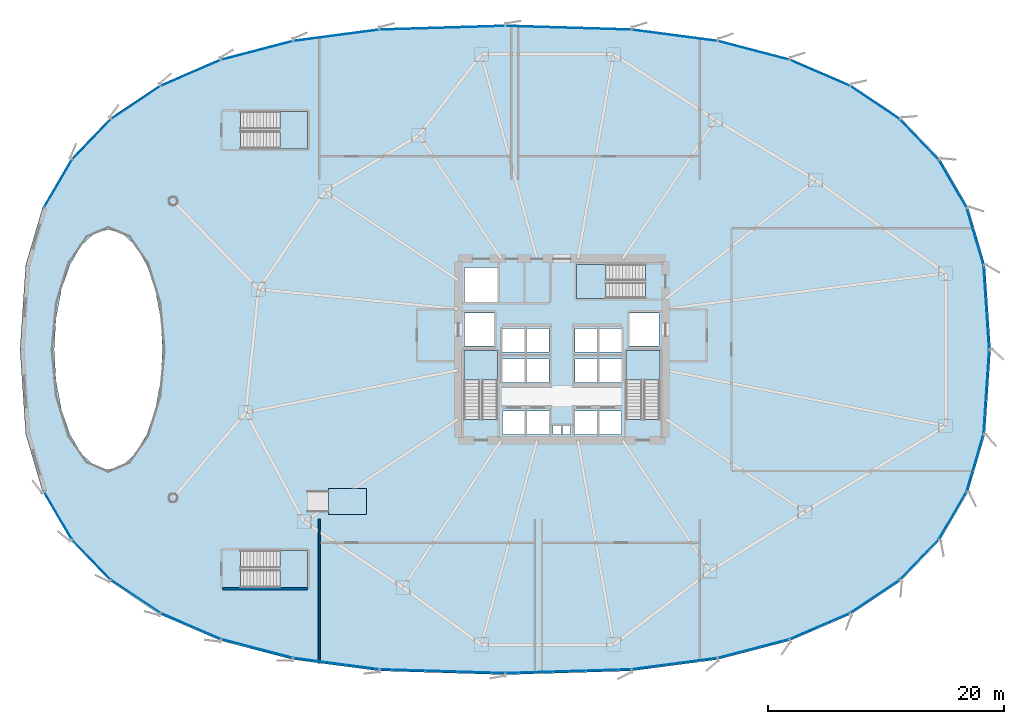
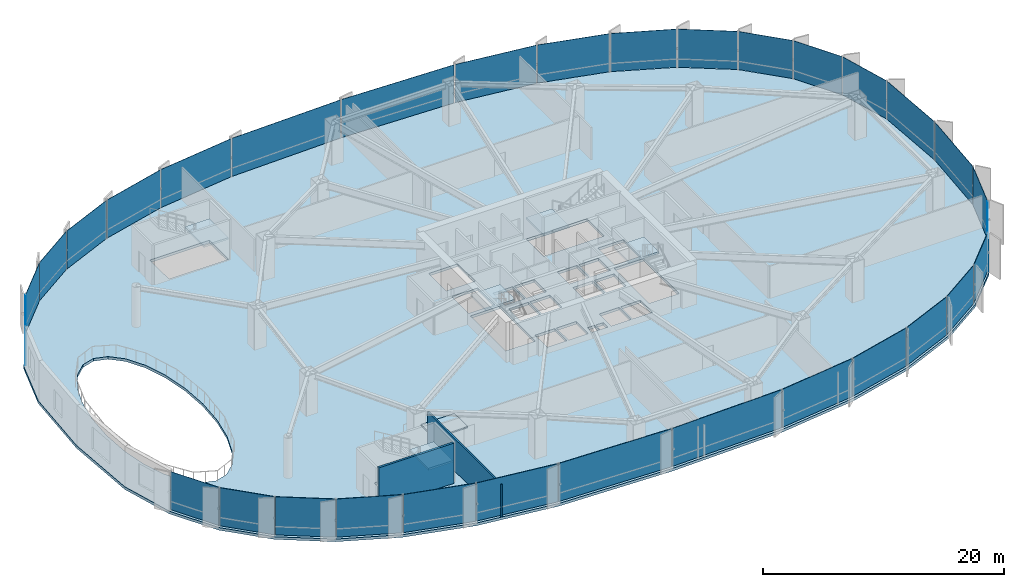
# One storey, part 23 of 34: 32 plates, 7 slabs, 2 walls, 11 elements without a shape of their own.
"""IFC4 building model written with IfcOpenShell, lengths in metres."""

from ifc_helpers import new_model, si_unit, direction, frame, frame_2d, origin, origin_2d, place, context, subcontext, project, spatial, polyline, rectangle, outline, extrude, source, transform, mapped, material, layer, layer_set, type_object, element, aggregate, save


model = new_model("IFC4")

# Units and contexts
model_context = context("Model", 3, precision=1e-05, world=origin(), true_north=direction((0.0, 1.0)))
body_context = subcontext(model_context, "Body", "Model", "MODEL_VIEW")
ifc_project = project(units=[si_unit("LENGTHUNIT", "METRE"), si_unit("AREAUNIT", "SQUARE_METRE"), si_unit("VOLUMEUNIT", "CUBIC_METRE"), si_unit("PLANEANGLEUNIT", "RADIAN"), si_unit("MASSUNIT", "GRAM", prefix="KILO"), si_unit("THERMODYNAMICTEMPERATUREUNIT", "KELVIN")], contexts=[model_context])

# Site, building, storey
site_placement = place(None, origin())
site = spatial("IfcSite", under=ifc_project, at=site_placement, CompositionType="ELEMENT")
building_placement = place(site_placement, origin())
building = spatial("IfcBuilding", under=site, at=building_placement, Name="Kethvar Cultural Tower", CompositionType="ELEMENT")
storey_placement = place(building_placement, frame((0.0, 0.0, 19.60009765625)))
storey = spatial("IfcBuildingStorey", under=building, at=storey_placement, Name="L04", CompositionType="ELEMENT", Elevation=19.60009765625)

# Slabs
ifc_material_1 = material(Name="Concrete C40/50", Category="concrete")
ifc_layer_1 = layer(ifc_material_1, 0.1201171875, Name="Concrete C40/50", Category="concrete")
ifc_layer_set_1 = layer_set([ifc_layer_1], Name="Concrete C40/50 (120 mm)")
slab_type_1 = type_object("IfcSlabType", Name="SL-DAIS-120", PredefinedType="LANDING", material=ifc_layer_set_1)
slab_1_placement = place(storey_placement, origin())
element("IfcSlab", 1, at=slab_1_placement, inside=storey, type_object=slab_type_1, Name="L04 Exhibition Plinth Landing", PredefinedType="LANDING", context=body_context, shape_type="SweptSolid", body=[
    extrude(outline(polyline([(27.0, 13.800048828125), (30.199951171875, 13.800048828125), (30.199951171875, 16.0), (27.0, 16.0), (27.0, 13.800048828125)])), origin(), (0.0, 0.0, 1.0), 0.119873046875),
])
ifc_layer_2 = layer(ifc_material_1, 0.27001953125, Name="Concrete C40/50", Category="concrete")
ifc_layer_set_2 = layer_set([ifc_layer_2], Name="Concrete C40/50 (270 mm)")
slab_type_2 = type_object("IfcSlabType", Name="SL-POD-270", PredefinedType="FLOOR", material=ifc_layer_set_2)
slab_2_placement = place(storey_placement, frame((0.0, 0.0, -0.27001953125)))
element("IfcSlab", 2, at=slab_2_placement, inside=storey, type_object=slab_type_2, Name="L04 Structural Floor Slab", PredefinedType="FLOOR", context=body_context, shape_type="SweptSolid", body=[
    extrude(outline(polyline([(83.199951171875, 27.800048828125), (82.7177734375, 34.978515625), (81.275146484375, 39.8916015625), (78.884521484375, 43.993896484375), (75.56298828125, 47.44580078125), (71.326416015625, 50.283935546875), (66.17333984375, 52.509033203125), (60.0498046875, 54.110595703125), (52.7158203125, 55.076904296875), (42.0, 55.39990234375), (31.2841796875, 55.076904296875), (23.9501953125, 54.110595703125), (17.82666015625, 52.509033203125), (12.673583984375, 50.283935546875), (8.43701171875, 47.44580078125), (5.115478515625, 43.993896484375), (2.724853515625, 39.8916015625), (1.2822265625, 34.978515625), (0.800048828125, 27.800048828125), (1.2822265625, 20.621337890625), (2.724853515625, 15.708251953125), (5.115478515625, 11.606201171875), (8.43701171875, 8.154296875), (12.673583984375, 5.31591796875), (17.82666015625, 3.091064453125), (23.9501953125, 1.489501953125), (31.2841796875, 0.523193359375), (42.0, 0.199951171875), (52.7158203125, 0.523193359375), (60.0498046875, 1.489501953125), (66.17333984375, 3.091064453125), (71.326416015625, 5.31591796875), (75.56298828125, 8.154296875), (78.884521484375, 11.606201171875), (81.275146484375, 15.708251953125), (82.7177734375, 20.621337890625), (83.199951171875, 27.800048828125)]), holes=[polyline([(38.489990234375, 21.85009765625), (38.489990234375, 27.699951171875), (41.35009765625, 27.699951171875), (41.35009765625, 21.85009765625), (38.489990234375, 21.85009765625)]), polyline([(52.25, 21.85009765625), (52.25, 27.699951171875), (55.110107421875, 27.699951171875), (55.110107421875, 21.85009765625), (52.25, 21.85009765625)]), polyline([(53.89990234375, 32.14990234375), (48.050048828125, 32.14990234375), (48.050048828125, 35.010009765625), (53.89990234375, 35.010009765625), (53.89990234375, 32.14990234375)]), polyline([(19.5, 10.760009765625), (25.199951171875, 10.760009765625), (25.199951171875, 7.60009765625), (19.5, 7.60009765625), (19.5, 10.760009765625)]), polyline([(19.5, 48.0), (25.199951171875, 48.0), (25.199951171875, 44.840087890625), (19.5, 44.840087890625), (19.5, 48.0)]), polyline([(41.75, 22.60009765625), (43.64990234375, 22.60009765625), (43.64990234375, 20.60009765625), (41.75, 20.60009765625), (41.75, 22.60009765625)]), polyline([(43.800048828125, 22.60009765625), (45.699951171875, 22.60009765625), (45.699951171875, 20.60009765625), (43.800048828125, 20.60009765625), (43.800048828125, 22.60009765625)]), polyline([(47.89990234375, 22.60009765625), (49.800048828125, 22.60009765625), (49.800048828125, 20.60009765625), (47.89990234375, 20.60009765625), (47.89990234375, 22.60009765625)]), polyline([(49.949951171875, 22.60009765625), (51.85009765625, 22.60009765625), (51.85009765625, 20.60009765625), (49.949951171875, 20.60009765625), (49.949951171875, 22.60009765625)]), polyline([(41.75, 27.0), (43.64990234375, 27.0), (43.64990234375, 25.0), (41.75, 25.0), (41.75, 27.0)]), polyline([(43.800048828125, 27.0), (45.699951171875, 27.0), (45.699951171875, 25.0), (43.800048828125, 25.0), (43.800048828125, 27.0)]), polyline([(47.89990234375, 27.0), (49.800048828125, 27.0), (49.800048828125, 25.0), (47.89990234375, 25.0), (47.89990234375, 27.0)]), polyline([(49.949951171875, 27.0), (51.85009765625, 27.0), (51.85009765625, 25.0), (49.949951171875, 25.0), (49.949951171875, 27.0)]), polyline([(41.75, 29.60009765625), (43.64990234375, 29.60009765625), (43.64990234375, 27.60009765625), (41.75, 27.60009765625), (41.75, 29.60009765625)]), polyline([(43.800048828125, 29.60009765625), (45.699951171875, 29.60009765625), (45.699951171875, 27.60009765625), (43.800048828125, 27.60009765625), (43.800048828125, 29.60009765625)]), polyline([(47.89990234375, 29.60009765625), (49.800048828125, 29.60009765625), (49.800048828125, 27.60009765625), (47.89990234375, 27.60009765625), (47.89990234375, 29.60009765625)]), polyline([(49.949951171875, 29.60009765625), (51.85009765625, 29.60009765625), (51.85009765625, 27.60009765625), (49.949951171875, 27.60009765625), (49.949951171875, 29.60009765625)]), polyline([(38.550048828125, 30.89990234375), (41.050048828125, 30.89990234375), (41.050048828125, 28.10009765625), (38.550048828125, 28.10009765625), (38.550048828125, 30.89990234375)]), polyline([(52.550048828125, 30.89990234375), (55.050048828125, 30.89990234375), (55.050048828125, 28.10009765625), (52.550048828125, 28.10009765625), (52.550048828125, 30.89990234375)]), polyline([(38.550048828125, 34.75), (41.35009765625, 34.75), (41.35009765625, 31.85009765625), (38.550048828125, 31.85009765625), (38.550048828125, 34.75)]), polyline([(46.050048828125, 21.35009765625), (46.75, 21.35009765625), (46.75, 20.60009765625), (46.050048828125, 20.60009765625), (46.050048828125, 21.35009765625)]), polyline([(46.85009765625, 21.35009765625), (47.550048828125, 21.35009765625), (47.550048828125, 20.60009765625), (46.85009765625, 20.60009765625), (46.85009765625, 21.35009765625)]), polyline([(12.743408203125, 25.159912109375), (12.28369140625, 22.699951171875), (11.552734375, 20.58740234375), (10.60009765625, 18.966552734375), (9.490478515625, 17.947509765625), (8.300048828125, 17.60009765625), (7.109375, 17.947509765625), (6.0, 18.966552734375), (5.04736328125, 20.58740234375), (4.31640625, 22.699951171875), (3.856689453125, 25.159912109375), (3.699951171875, 27.800048828125), (3.856689453125, 30.43994140625), (4.31640625, 32.89990234375), (5.04736328125, 35.012451171875), (6.0, 36.633544921875), (7.109375, 37.65234375), (8.300048828125, 38.0), (9.490478515625, 37.65234375), (10.60009765625, 36.633544921875), (11.552734375, 35.012451171875), (12.28369140625, 32.89990234375), (12.743408203125, 30.43994140625), (12.89990234375, 27.800048828125), (12.743408203125, 25.159912109375)])]), origin(), (0.0, 0.0, 1.0), 0.27001953125),
])

# Stair, slab
stair_type_1 = type_object("IfcStairType", Name="ST-DOGLEG-135", PredefinedType="HALF_TURN_STAIR", material=ifc_material_1)
stair_1_placement = place(storey_placement, origin())
stair_1 = element("IfcStair", 3, at=stair_1_placement, inside=storey, type_object=stair_type_1, Name="L04 Core Exit Stair 1", PredefinedType="HALF_TURN_STAIR")
ifc_layer_3 = layer(ifc_material_1, 0.199951171875, Name="Concrete C40/50", Category="concrete")
ifc_layer_set_3 = layer_set([ifc_layer_3], Name="Concrete C40/50 (200 mm)")
slab_type_3 = type_object("IfcSlabType", Name="SL-STAIR-LANDING-200", PredefinedType="LANDING", material=ifc_layer_set_3)
slab_3_placement = place(storey_placement, frame((0.0, 0.0, 2.0)))
slab_3 = element("IfcSlab", 4, at=slab_3_placement, type_object=slab_type_3, Name="ST-01 landing 1", PredefinedType="LANDING", context=body_context, shape_type="SweptSolid", body=[
    extrude(outline(polyline([(41.35009765625, 25.2099609375), (41.35009765625, 27.699951171875), (38.489990234375, 27.699951171875), (38.489990234375, 25.2099609375), (41.35009765625, 25.2099609375)])), origin(), (0.0, 0.0, 1.0), 0.199951171875),
])
aggregate(stair_1, [slab_3])

stair_2_placement = place(storey_placement, origin())
stair_2 = element("IfcStair", 5, at=stair_2_placement, inside=storey, type_object=stair_type_1, Name="L04 Core Exit Stair 2", PredefinedType="HALF_TURN_STAIR")
slab_4_placement = place(storey_placement, frame((0.0, 0.0, 2.0)))
slab_4 = element("IfcSlab", 6, at=slab_4_placement, type_object=slab_type_3, Name="ST-02 landing 1", PredefinedType="LANDING", context=body_context, shape_type="SweptSolid", body=[
    extrude(outline(polyline([(55.110107421875, 25.2099609375), (55.110107421875, 27.699951171875), (52.25, 27.699951171875), (52.25, 25.2099609375), (55.110107421875, 25.2099609375)])), origin(), (0.0, 0.0, 1.0), 0.199951171875),
])
aggregate(stair_2, [slab_4])

stair_3_placement = place(storey_placement, origin())
stair_3 = element("IfcStair", 7, at=stair_3_placement, inside=storey, type_object=stair_type_1, Name="L04 Core Exit Stair 3", PredefinedType="HALF_TURN_STAIR")
slab_5_placement = place(storey_placement, frame((0.0, 0.0, 2.0)))
slab_5 = element("IfcSlab", 8, at=slab_5_placement, type_object=slab_type_3, Name="ST-03 landing 1", PredefinedType="LANDING", context=body_context, shape_type="SweptSolid", body=[
    extrude(outline(polyline([(50.5400390625, 35.010009765625), (48.050048828125, 35.010009765625), (48.050048828125, 32.14990234375), (50.5400390625, 32.14990234375), (50.5400390625, 35.010009765625)])), origin(), (0.0, 0.0, 1.0), 0.199951171875),
])
aggregate(stair_3, [slab_5])

stair_type_2 = type_object("IfcStairType", Name="ST-DOGLEG-150", PredefinedType="HALF_TURN_STAIR", material=ifc_material_1)
stair_4_placement = place(storey_placement, origin())
stair_4 = element("IfcStair", 9, at=stair_4_placement, inside=storey, type_object=stair_type_2, Name="L04 Podium Auditorium Exit Stair 4", PredefinedType="HALF_TURN_STAIR")
slab_6_placement = place(storey_placement, frame((0.0, 0.0, 2.0)))
slab_6 = element("IfcSlab", 10, at=slab_6_placement, type_object=slab_type_3, Name="ST-04 landing 1", PredefinedType="LANDING", context=body_context, shape_type="SweptSolid", body=[
    extrude(outline(polyline([(22.860107421875, 7.60009765625), (25.199951171875, 7.60009765625), (25.199951171875, 10.760009765625), (22.860107421875, 10.760009765625), (22.860107421875, 7.60009765625)])), origin(), (0.0, 0.0, 1.0), 0.199951171875),
])
aggregate(stair_4, [slab_6])

stair_5_placement = place(storey_placement, origin())
stair_5 = element("IfcStair", 11, at=stair_5_placement, inside=storey, type_object=stair_type_2, Name="L04 Podium Auditorium Exit Stair 5", PredefinedType="HALF_TURN_STAIR")
slab_7_placement = place(storey_placement, frame((0.0, 0.0, 2.0)))
slab_7 = element("IfcSlab", 12, at=slab_7_placement, type_object=slab_type_3, Name="ST-05 landing 1", PredefinedType="LANDING", context=body_context, shape_type="SweptSolid", body=[
    extrude(outline(polyline([(22.860107421875, 44.840087890625), (25.199951171875, 44.840087890625), (25.199951171875, 48.0), (22.860107421875, 48.0), (22.860107421875, 44.840087890625)])), origin(), (0.0, 0.0, 1.0), 0.199951171875),
])
aggregate(stair_5, [slab_7])

# Curtain wall, plate
ifc_material_2 = material(Name="Aluminium 6063-T6", Category="aluminium")
ifc_layer_4 = layer(ifc_material_2, 0.179931640625, Name="Aluminium 6063-T6", Category="aluminium")
ifc_layer_set_4 = layer_set([ifc_layer_4], Name="Aluminium 6063-T6 (180 mm)")
curtain_wall_type = type_object("IfcCurtainWallType", Name="CW-SYS-01-POD", PredefinedType="NOTDEFINED", material=ifc_layer_set_4)
curtain_wall_1_placement = place(storey_placement, origin())
curtain_wall_1 = element("IfcCurtainWall", 13, at=curtain_wall_1_placement, inside=storey, type_object=curtain_wall_type, Name="L04 Curtain Wall Run 01", PredefinedType="NOTDEFINED")
ifc_material_3 = material(Name="Insulated Low-E Solar Glass", Category="glass")
ifc_layer_5 = layer(ifc_material_3, 0.035888671875, Name="Insulated Low-E Solar Glass", Category="glass")
ifc_layer_set_5 = layer_set([ifc_layer_5], Name="Insulated Low-E Solar Glass (36 mm)")
plate_type = type_object("IfcPlateType", Name="CW-SYS-01-POD-PNL", PredefinedType="CURTAIN_PANEL", material=ifc_layer_set_5)
shared_shape_1 = source(origin(), body_context, "Body", "SweptSolid", [
    extrude(rectangle(XDim=7.086669921875, YDim=0.035888671875, at=origin_2d()), origin(), (0.0, 0.0, 1.0), 3.860107421875),
])
plate_1_placement = place(storey_placement, frame((82.8291015625, 31.380615234375, 0.10986328125), z_axis=(0.0, 0.0, 1.0), x_axis=(-0.067040137302, 0.997750279374, 0.0)))
plate_1 = element("IfcPlate", 14, at=plate_1_placement, type_object=plate_type, Name="CW-L04-R01 Vision Glazing Panel 1", PredefinedType="CURTAIN_PANEL", context=body_context, shape_type="MappedRepresentation", body=[
    mapped(shared_shape_1, transform((0.0, 0.0, 0.0), scale=1.0)),
])

curtain_wall_2_placement = place(storey_placement, origin())
curtain_wall_2 = element("IfcCurtainWall", 15, at=curtain_wall_2_placement, inside=storey, type_object=curtain_wall_type, Name="L04 Curtain Wall Run 06", PredefinedType="NOTDEFINED")
plate_2_placement = place(storey_placement, frame((82.8291015625, 24.219482421875, 0.10986328125), z_axis=(0.0, 0.0, 1.0), x_axis=(0.067040137302, 0.997750279374, 0.0)))
plate_2 = element("IfcPlate", 16, at=plate_2_placement, type_object=plate_type, Name="CW-L04-R06 Vision Glazing Panel 4", PredefinedType="CURTAIN_PANEL", context=body_context, shape_type="MappedRepresentation", body=[
    mapped(shared_shape_1, transform((0.0, 0.0, 0.0), scale=1.0)),
])

# Plate
shared_shape_2 = source(origin(), body_context, "Body", "SweptSolid", [
    extrude(rectangle(XDim=5.012451171875, YDim=0.035888671875, at=origin_2d()), origin(), (0.0, 0.0, 1.0), 3.860107421875),
])
plate_3_placement = place(storey_placement, frame((81.87158203125, 37.398681640625, 0.10986328125), z_axis=(0.0, 0.0, 1.0), x_axis=(-0.28172190008, 0.959496102658, 0.0)))
plate_3 = element("IfcPlate", 17, at=plate_3_placement, type_object=plate_type, Name="CW-L04-R01 Vision Glazing Panel 2", PredefinedType="CURTAIN_PANEL", context=body_context, shape_type="MappedRepresentation", body=[
    mapped(shared_shape_2, transform((0.0, 0.0, 0.0), scale=1.0)),
])

plate_4_placement = place(storey_placement, frame((81.87158203125, 18.201416015625, 0.10986328125), z_axis=(0.0, 0.0, 1.0), x_axis=(0.28172190008, 0.959496102658, 0.0)))
plate_4 = element("IfcPlate", 18, at=plate_4_placement, type_object=plate_type, Name="CW-L04-R06 Vision Glazing Panel 3", PredefinedType="CURTAIN_PANEL", context=body_context, shape_type="MappedRepresentation", body=[
    mapped(shared_shape_2, transform((0.0, 0.0, 0.0), scale=1.0)),
])

shared_shape_3 = source(origin(), body_context, "Body", "SweptSolid", [
    extrude(rectangle(XDim=4.639892578125, YDim=0.035888671875, at=origin_2d()), origin(), (0.0, 0.0, 1.0), 3.860107421875),
])
plate_5_placement = place(storey_placement, frame((79.967529296875, 41.877197265625, 0.10986328125), z_axis=(0.0, 0.0, 1.0), x_axis=(-0.503517649721, 0.863984939927, 0.0)))
plate_5 = element("IfcPlate", 19, at=plate_5_placement, type_object=plate_type, Name="CW-L04-R01 Vision Glazing Panel 3", PredefinedType="CURTAIN_PANEL", context=body_context, shape_type="MappedRepresentation", body=[
    mapped(shared_shape_3, transform((0.0, 0.0, 0.0), scale=1.0)),
])

# Curtain wall, plate
curtain_wall_3_placement = place(storey_placement, origin())
curtain_wall_3 = element("IfcCurtainWall", 20, at=curtain_wall_3_placement, inside=storey, type_object=curtain_wall_type, Name="L04 Curtain Wall Run 03", PredefinedType="NOTDEFINED")
plate_6_placement = place(storey_placement, frame((4.032470703125, 41.877197265625, 0.10986328125), z_axis=(0.0, 0.0, 1.0), x_axis=(-0.503517649721, -0.863984939927, 0.0)))
plate_6 = element("IfcPlate", 21, at=plate_6_placement, type_object=plate_type, Name="CW-L04-R03 Vision Glazing Panel 4", PredefinedType="CURTAIN_PANEL", context=body_context, shape_type="MappedRepresentation", body=[
    mapped(shared_shape_3, transform((0.0, 0.0, 0.0), scale=1.0)),
])

curtain_wall_4_placement = place(storey_placement, origin())
curtain_wall_4 = element("IfcCurtainWall", 22, at=curtain_wall_4_placement, inside=storey, type_object=curtain_wall_type, Name="L04 Curtain Wall Run 04", PredefinedType="NOTDEFINED")
plate_7_placement = place(storey_placement, frame((4.032470703125, 13.72265625, 0.10986328125), z_axis=(0.0, 0.0, 1.0), x_axis=(0.503517649721, -0.863984939927, 0.0)))
plate_7 = element("IfcPlate", 23, at=plate_7_placement, type_object=plate_type, Name="CW-L04-R04 Vision Glazing Panel 1", PredefinedType="CURTAIN_PANEL", context=body_context, shape_type="MappedRepresentation", body=[
    mapped(shared_shape_3, transform((0.0, 0.0, 0.0), scale=1.0)),
])

# Plate
plate_8_placement = place(storey_placement, frame((79.967529296875, 13.72265625, 0.10986328125), z_axis=(0.0, 0.0, 1.0), x_axis=(0.503517649721, 0.863984939927, 0.0)))
plate_8 = element("IfcPlate", 24, at=plate_8_placement, type_object=plate_type, Name="CW-L04-R06 Vision Glazing Panel 2", PredefinedType="CURTAIN_PANEL", context=body_context, shape_type="MappedRepresentation", body=[
    mapped(shared_shape_3, transform((0.0, 0.0, 0.0), scale=1.0)),
])

shared_shape_4 = source(origin(), body_context, "Body", "SweptSolid", [
    extrude(rectangle(XDim=4.682373046875, YDim=0.035888671875, at=origin_2d()), origin(), (0.0, 0.0, 1.0), 3.860107421875),
])
plate_9_placement = place(storey_placement, frame((77.130126953125, 45.629638671875, 0.10986328125), z_axis=(0.0, 0.0, 1.0), x_axis=(-0.693338945689, 0.720611619661, 0.0)))
plate_9 = element("IfcPlate", 25, at=plate_9_placement, type_object=plate_type, Name="CW-L04-R01 Vision Glazing Panel 4", PredefinedType="CURTAIN_PANEL", context=body_context, shape_type="MappedRepresentation", body=[
    mapped(shared_shape_4, transform((0.0, 0.0, 0.0), scale=1.0)),
])

plate_10_placement = place(storey_placement, frame((6.869873046875, 45.629638671875, 0.10986328125), z_axis=(0.0, 0.0, 1.0), x_axis=(-0.693338945689, -0.720611619661, 0.0)))
plate_10 = element("IfcPlate", 26, at=plate_10_placement, type_object=plate_type, Name="CW-L04-R03 Vision Glazing Panel 3", PredefinedType="CURTAIN_PANEL", context=body_context, shape_type="MappedRepresentation", body=[
    mapped(shared_shape_4, transform((0.0, 0.0, 0.0), scale=1.0)),
])

plate_11_placement = place(storey_placement, frame((6.869873046875, 9.97021484375, 0.10986328125), z_axis=(0.0, 0.0, 1.0), x_axis=(0.693338945689, -0.720611619661, 0.0)))
plate_11 = element("IfcPlate", 27, at=plate_11_placement, type_object=plate_type, Name="CW-L04-R04 Vision Glazing Panel 2", PredefinedType="CURTAIN_PANEL", context=body_context, shape_type="MappedRepresentation", body=[
    mapped(shared_shape_4, transform((0.0, 0.0, 0.0), scale=1.0)),
])

plate_12_placement = place(storey_placement, frame((77.130126953125, 9.97021484375, 0.10986328125), z_axis=(0.0, 0.0, 1.0), x_axis=(0.693338945689, 0.720611619661, 0.0)))
plate_12 = element("IfcPlate", 28, at=plate_12_placement, type_object=plate_type, Name="CW-L04-R06 Vision Glazing Panel 1", PredefinedType="CURTAIN_PANEL", context=body_context, shape_type="MappedRepresentation", body=[
    mapped(shared_shape_4, transform((0.0, 0.0, 0.0), scale=1.0)),
])

aggregate(curtain_wall_2, [plate_12, plate_8, plate_4, plate_2])

shared_shape_5 = source(origin(), body_context, "Body", "SweptSolid", [
    extrude(rectangle(XDim=4.99169921875, YDim=0.035888671875, at=origin_2d()), origin(), (0.0, 0.0, 1.0), 3.860107421875),
])
plate_13_placement = place(storey_placement, frame((73.372314453125, 48.7568359375, 0.10986328125), z_axis=(0.0, 0.0, 1.0), x_axis=(-0.830809662848, 0.556556649514, 0.0)))
plate_13 = element("IfcPlate", 29, at=plate_13_placement, type_object=plate_type, Name="CW-L04-R01 Vision Glazing Panel 5", PredefinedType="CURTAIN_PANEL", context=body_context, shape_type="MappedRepresentation", body=[
    mapped(shared_shape_5, transform((0.0, 0.0, 0.0), scale=1.0)),
])

plate_14_placement = place(storey_placement, frame((10.627685546875, 48.7568359375, 0.10986328125), z_axis=(0.0, 0.0, 1.0), x_axis=(-0.830809662848, -0.556556649514, 0.0)))
plate_14 = element("IfcPlate", 30, at=plate_14_placement, type_object=plate_type, Name="CW-L04-R03 Vision Glazing Panel 2", PredefinedType="CURTAIN_PANEL", context=body_context, shape_type="MappedRepresentation", body=[
    mapped(shared_shape_5, transform((0.0, 0.0, 0.0), scale=1.0)),
])

plate_15_placement = place(storey_placement, frame((10.627685546875, 6.84326171875, 0.10986328125), z_axis=(0.0, 0.0, 1.0), x_axis=(0.830809662848, -0.556556649514, 0.0)))
plate_15 = element("IfcPlate", 31, at=plate_15_placement, type_object=plate_type, Name="CW-L04-R04 Vision Glazing Panel 3", PredefinedType="CURTAIN_PANEL", context=body_context, shape_type="MappedRepresentation", body=[
    mapped(shared_shape_5, transform((0.0, 0.0, 0.0), scale=1.0)),
])

# Curtain wall, plate
curtain_wall_5_placement = place(storey_placement, origin())
curtain_wall_5 = element("IfcCurtainWall", 32, at=curtain_wall_5_placement, inside=storey, type_object=curtain_wall_type, Name="L04 Curtain Wall Run 05", PredefinedType="NOTDEFINED")
plate_16_placement = place(storey_placement, frame((73.372314453125, 6.84326171875, 0.10986328125), z_axis=(0.0, 0.0, 1.0), x_axis=(0.830809662848, 0.556556649514, 0.0)))
plate_16 = element("IfcPlate", 33, at=plate_16_placement, type_object=plate_type, Name="CW-L04-R05 Vision Glazing Panel 6", PredefinedType="CURTAIN_PANEL", context=body_context, shape_type="MappedRepresentation", body=[
    mapped(shared_shape_5, transform((0.0, 0.0, 0.0), scale=1.0)),
])

# Plate
shared_shape_6 = source(origin(), body_context, "Body", "SweptSolid", [
    extrude(rectangle(XDim=5.5048828125, YDim=0.035888671875, at=origin_2d()), origin(), (0.0, 0.0, 1.0), 3.860107421875),
])
plate_17_placement = place(storey_placement, frame((68.6982421875, 51.277099609375, 0.10986328125), z_axis=(0.0, 0.0, 1.0), x_axis=(-0.918073180633, 0.396410942082, 0.0)))
plate_17 = element("IfcPlate", 34, at=plate_17_placement, type_object=plate_type, Name="CW-L04-R01 Vision Glazing Panel 6", PredefinedType="CURTAIN_PANEL", context=body_context, shape_type="MappedRepresentation", body=[
    mapped(shared_shape_6, transform((0.0, 0.0, 0.0), scale=1.0)),
])

aggregate(curtain_wall_1, [plate_1, plate_3, plate_5, plate_9, plate_13, plate_17])

plate_18_placement = place(storey_placement, frame((15.3017578125, 51.277099609375, 0.10986328125), z_axis=(0.0, 0.0, 1.0), x_axis=(-0.918073180633, -0.396410942082, 0.0)))
plate_18 = element("IfcPlate", 35, at=plate_18_placement, type_object=plate_type, Name="CW-L04-R03 Vision Glazing Panel 1", PredefinedType="CURTAIN_PANEL", context=body_context, shape_type="MappedRepresentation", body=[
    mapped(shared_shape_6, transform((0.0, 0.0, 0.0), scale=1.0)),
])

aggregate(curtain_wall_3, [plate_18, plate_14, plate_10, plate_6])

plate_19_placement = place(storey_placement, frame((15.3017578125, 4.32275390625, 0.10986328125), z_axis=(0.0, 0.0, 1.0), x_axis=(0.918073180633, -0.396410942082, 0.0)))
plate_19 = element("IfcPlate", 36, at=plate_19_placement, type_object=plate_type, Name="CW-L04-R04 Vision Glazing Panel 4", PredefinedType="CURTAIN_PANEL", context=body_context, shape_type="MappedRepresentation", body=[
    mapped(shared_shape_6, transform((0.0, 0.0, 0.0), scale=1.0)),
])

plate_20_placement = place(storey_placement, frame((68.6982421875, 4.32275390625, 0.10986328125), z_axis=(0.0, 0.0, 1.0), x_axis=(0.918073180633, 0.396410942082, 0.0)))
plate_20 = element("IfcPlate", 37, at=plate_20_placement, type_object=plate_type, Name="CW-L04-R05 Vision Glazing Panel 5", PredefinedType="CURTAIN_PANEL", context=body_context, shape_type="MappedRepresentation", body=[
    mapped(shared_shape_6, transform((0.0, 0.0, 0.0), scale=1.0)),
])

# Curtain wall, plates
curtain_wall_6_placement = place(storey_placement, origin())
curtain_wall_6 = element("IfcCurtainWall", 38, at=curtain_wall_6_placement, inside=storey, type_object=curtain_wall_type, Name="L04 Curtain Wall Run 02", PredefinedType="NOTDEFINED")
shared_shape_7 = source(origin(), body_context, "Body", "SweptSolid", [
    extrude(rectangle(XDim=6.221435546875, YDim=0.035888671875, at=origin_2d()), origin(), (0.0, 0.0, 1.0), 3.860107421875),
])
plate_21_placement = place(storey_placement, frame((63.07861328125, 53.18408203125, 0.10986328125), z_axis=(0.0, 0.0, 1.0), x_axis=(-0.967457923558, 0.253031946887, 0.0)))
plate_21 = element("IfcPlate", 39, at=plate_21_placement, type_object=plate_type, Name="CW-L04-R02 Vision Glazing Panel 1", PredefinedType="CURTAIN_PANEL", context=body_context, shape_type="MappedRepresentation", body=[
    mapped(shared_shape_7, transform((0.0, 0.0, 0.0), scale=1.0)),
])
plate_22_placement = place(storey_placement, frame((20.92138671875, 53.18408203125, 0.10986328125), z_axis=(0.0, 0.0, 1.0), x_axis=(-0.967457923558, -0.253031946887, 0.0)))
plate_22 = element("IfcPlate", 40, at=plate_22_placement, type_object=plate_type, Name="CW-L04-R02 Vision Glazing Panel 6", PredefinedType="CURTAIN_PANEL", context=body_context, shape_type="MappedRepresentation", body=[
    mapped(shared_shape_7, transform((0.0, 0.0, 0.0), scale=1.0)),
])

# Plate
plate_23_placement = place(storey_placement, frame((20.92138671875, 2.416015625, 0.10986328125), z_axis=(0.0, 0.0, 1.0), x_axis=(0.967457923558, -0.253031946887, 0.0)))
plate_23 = element("IfcPlate", 41, at=plate_23_placement, type_object=plate_type, Name="CW-L04-R04 Vision Glazing Panel 5", PredefinedType="CURTAIN_PANEL", context=body_context, shape_type="MappedRepresentation", body=[
    mapped(shared_shape_7, transform((0.0, 0.0, 0.0), scale=1.0)),
])

plate_24_placement = place(storey_placement, frame((63.07861328125, 2.416015625, 0.10986328125), z_axis=(0.0, 0.0, 1.0), x_axis=(0.967457923558, 0.253031946887, 0.0)))
plate_24 = element("IfcPlate", 42, at=plate_24_placement, type_object=plate_type, Name="CW-L04-R05 Vision Glazing Panel 4", PredefinedType="CURTAIN_PANEL", context=body_context, shape_type="MappedRepresentation", body=[
    mapped(shared_shape_7, transform((0.0, 0.0, 0.0), scale=1.0)),
])

shared_shape_8 = source(origin(), body_context, "Body", "SweptSolid", [
    extrude(rectangle(XDim=7.289306640625, YDim=0.035888671875, at=origin_2d()), origin(), (0.0, 0.0, 1.0), 3.860107421875),
])
plate_25_placement = place(storey_placement, frame((56.365966796875, 54.46484375, 0.10986328125), z_axis=(0.0, 0.0, 1.0), x_axis=(-0.991428907192, 0.130647319086, 0.0)))
plate_25 = element("IfcPlate", 43, at=plate_25_placement, type_object=plate_type, Name="CW-L04-R02 Vision Glazing Panel 2", PredefinedType="CURTAIN_PANEL", context=body_context, shape_type="MappedRepresentation", body=[
    mapped(shared_shape_8, transform((0.0, 0.0, 0.0), scale=1.0)),
])

plate_26_placement = place(storey_placement, frame((27.634033203125, 54.46484375, 0.10986328125), z_axis=(0.0, 0.0, 1.0), x_axis=(-0.991428907192, -0.130647319086, 0.0)))
plate_26 = element("IfcPlate", 44, at=plate_26_placement, type_object=plate_type, Name="CW-L04-R02 Vision Glazing Panel 5", PredefinedType="CURTAIN_PANEL", context=body_context, shape_type="MappedRepresentation", body=[
    mapped(shared_shape_8, transform((0.0, 0.0, 0.0), scale=1.0)),
])

plate_27_placement = place(storey_placement, frame((27.634033203125, 1.135009765625, 0.10986328125), z_axis=(0.0, 0.0, 1.0), x_axis=(0.991428907192, -0.130647319086, 0.0)))
plate_27 = element("IfcPlate", 45, at=plate_27_placement, type_object=plate_type, Name="CW-L04-R04 Vision Glazing Panel 6", PredefinedType="CURTAIN_PANEL", context=body_context, shape_type="MappedRepresentation", body=[
    mapped(shared_shape_8, transform((0.0, 0.0, 0.0), scale=1.0)),
])

aggregate(curtain_wall_4, [plate_7, plate_11, plate_15, plate_19, plate_23, plate_27])

plate_28_placement = place(storey_placement, frame((56.365966796875, 1.135009765625, 0.10986328125), z_axis=(0.0, 0.0, 1.0), x_axis=(0.991428907192, 0.130647319086, 0.0)))
plate_28 = element("IfcPlate", 46, at=plate_28_placement, type_object=plate_type, Name="CW-L04-R05 Vision Glazing Panel 3", PredefinedType="CURTAIN_PANEL", context=body_context, shape_type="MappedRepresentation", body=[
    mapped(shared_shape_8, transform((0.0, 0.0, 0.0), scale=1.0)),
])

shared_shape_9 = source(origin(), body_context, "Body", "SweptSolid", [
    extrude(rectangle(XDim=10.61279296875, YDim=0.035888671875, at=origin_2d()), origin(), (0.0, 0.0, 1.0), 3.860107421875),
])
plate_29_placement = place(storey_placement, frame((47.35400390625, 55.1083984375, 0.10986328125), z_axis=(0.0, 0.0, 1.0), x_axis=(-0.999545769248, 0.030137272261, 0.0)))
plate_29 = element("IfcPlate", 47, at=plate_29_placement, type_object=plate_type, Name="CW-L04-R02 Vision Glazing Panel 3", PredefinedType="CURTAIN_PANEL", context=body_context, shape_type="MappedRepresentation", body=[
    mapped(shared_shape_9, transform((0.0, 0.0, 0.0), scale=1.0)),
])

plate_30_placement = place(storey_placement, frame((36.64599609375, 55.1083984375, 0.10986328125), z_axis=(0.0, 0.0, 1.0), x_axis=(-0.999545769248, -0.030137272261, 0.0)))
plate_30 = element("IfcPlate", 48, at=plate_30_placement, type_object=plate_type, Name="CW-L04-R02 Vision Glazing Panel 4", PredefinedType="CURTAIN_PANEL", context=body_context, shape_type="MappedRepresentation", body=[
    mapped(shared_shape_9, transform((0.0, 0.0, 0.0), scale=1.0)),
])

aggregate(curtain_wall_6, [plate_21, plate_25, plate_29, plate_30, plate_26, plate_22])

plate_31_placement = place(storey_placement, frame((36.64599609375, 0.491455078125, 0.10986328125), z_axis=(0.0, 0.0, 1.0), x_axis=(0.999545769248, -0.030137272261, 0.0)))
plate_31 = element("IfcPlate", 49, at=plate_31_placement, type_object=plate_type, Name="CW-L04-R05 Vision Glazing Panel 1", PredefinedType="CURTAIN_PANEL", context=body_context, shape_type="MappedRepresentation", body=[
    mapped(shared_shape_9, transform((0.0, 0.0, 0.0), scale=1.0)),
])

plate_32_placement = place(storey_placement, frame((47.35400390625, 0.491455078125, 0.10986328125), z_axis=(0.0, 0.0, 1.0), x_axis=(0.999545769248, 0.030137272261, 0.0)))
plate_32 = element("IfcPlate", 50, at=plate_32_placement, type_object=plate_type, Name="CW-L04-R05 Vision Glazing Panel 2", PredefinedType="CURTAIN_PANEL", context=body_context, shape_type="MappedRepresentation", body=[
    mapped(shared_shape_9, transform((0.0, 0.0, 0.0), scale=1.0)),
])

aggregate(curtain_wall_5, [plate_31, plate_32, plate_28, plate_24, plate_20, plate_16])

# Walls
ifc_material_4 = material(Name="Gypsum Acoustic Partition")
ifc_layer_6 = layer(ifc_material_4, 0.14990234375, Name="Gypsum Acoustic Partition")
ifc_layer_set_6 = layer_set([ifc_layer_6], Name="Gypsum Acoustic Partition (150 mm)")
wall_type_1 = type_object("IfcWallType", Name="WL-PART-150", PredefinedType="PARTITIONING", material=ifc_layer_set_6)
wall_1_placement = place(storey_placement, frame((26.199951171875, 1.193115234375, 0.0), z_axis=(0.0, 0.0, 1.0), x_axis=(0.0, 1.0, 0.0)))
element("IfcWall", 51, at=wall_1_placement, inside=storey, type_object=wall_type_1, Name="L04 Rare Books Reading Hall Side Wall L", PredefinedType="PARTITIONING", context=body_context, shape_type="SweptSolid", body=[
    extrude(rectangle(XDim=12.206787109375, YDim=0.14990234375, at=frame_2d((6.103515625, 0.0))), origin(), (0.0, 0.0, 1.0), 3.29296875),
])
ifc_material_5 = material(Name="Concrete C50/60", Category="concrete")
ifc_layer_7 = layer(ifc_material_5, 0.199951171875, Name="Concrete C50/60", Category="concrete")
ifc_layer_set_7 = layer_set([ifc_layer_7], Name="Concrete C50/60 (200 mm)")
wall_type_2 = type_object("IfcWallType", Name="WL-STSHAFT-200", PredefinedType="SHEAR", material=ifc_layer_set_7)
wall_2_placement = place(storey_placement, frame((25.199951171875, 7.5, 0.0), z_axis=(0.0, 0.0, 1.0), x_axis=(-1.0, 0.0, 0.0)))
element("IfcWall", 52, at=wall_2_placement, inside=storey, type_object=wall_type_2, Name="L04 ST-04 Stair Shaft Wall LEFT", PredefinedType="SHEAR", context=body_context, shape_type="SweptSolid", body=[
    extrude(rectangle(XDim=7.199951171875, YDim=0.199951171875, at=frame_2d((3.60009765625, 0.0))), origin(), (0.0, 0.0, 1.0), 4.079833984375),
])

save(model, "model.ifc")
